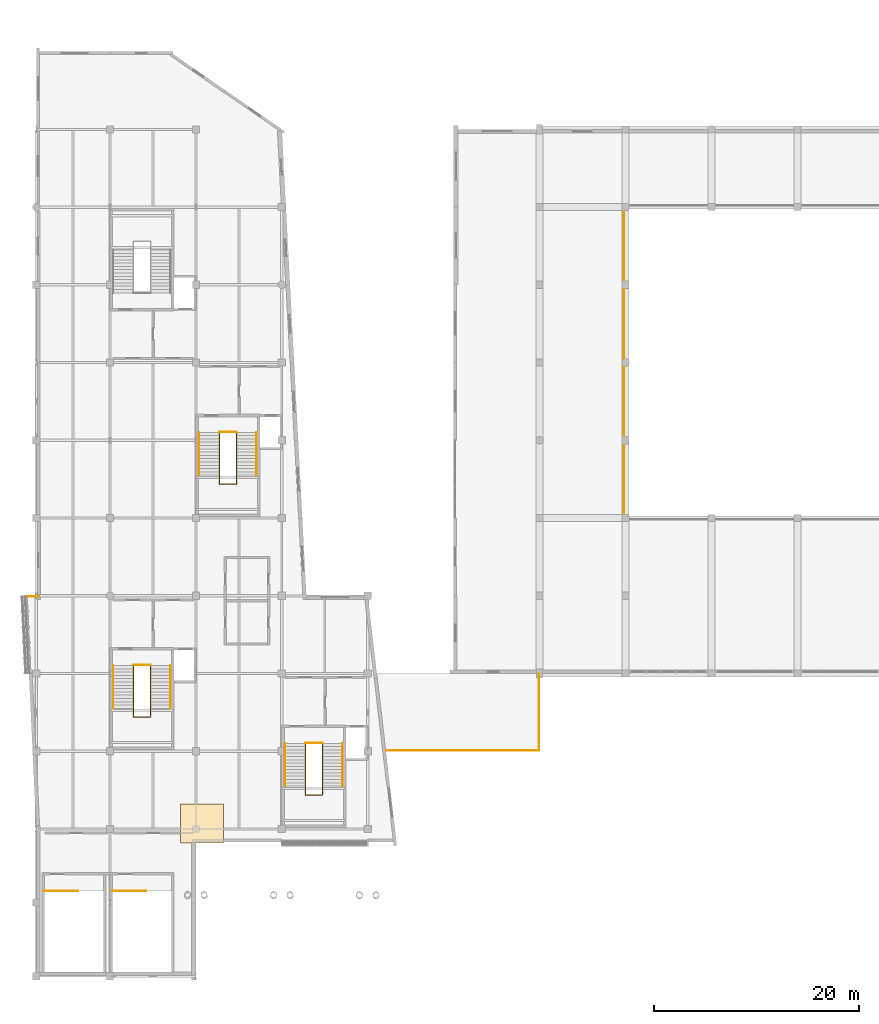
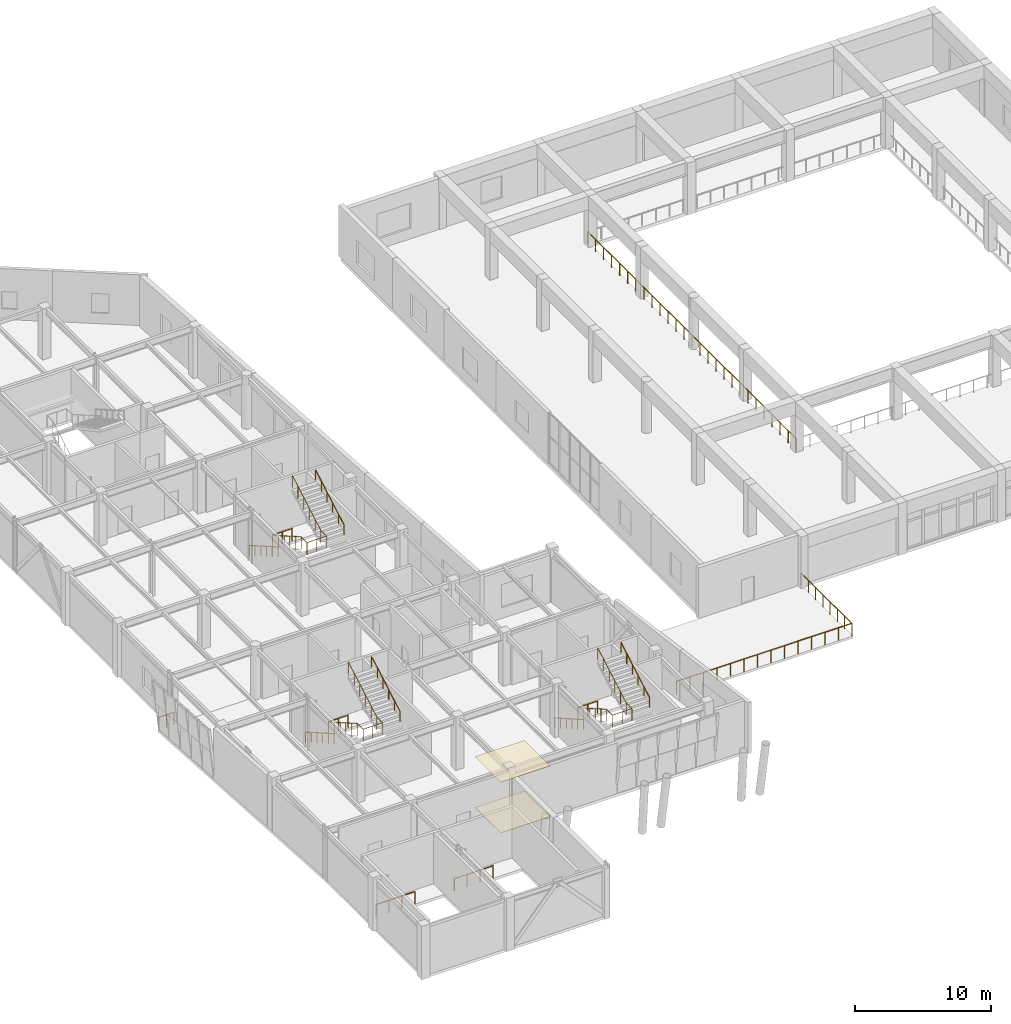
# One storey, part 70 of 72: 18 railings, 2 coverings.
"""IFC4 building model written with IfcOpenShell, lengths in metres."""

from ifc_helpers import new_model, si_unit, direction, frame, origin, origin_2d, place, context, subcontext, project, spatial, rectangle, circle, extrude, material, layer, layer_set, type_object, element, save


model = new_model("IFC4")

# Units and contexts
model_context = context("Model", 3, precision=1e-05, world=origin(), true_north=direction((0.0, 1.0)))
body_context = subcontext(model_context, "Body", "Model", "MODEL_VIEW")
ifc_project = project(units=[si_unit("LENGTHUNIT", "METRE"), si_unit("AREAUNIT", "SQUARE_METRE"), si_unit("VOLUMEUNIT", "CUBIC_METRE"), si_unit("PLANEANGLEUNIT", "RADIAN"), si_unit("MASSUNIT", "GRAM", prefix="KILO")], contexts=[model_context])

# Site, building, storey
site_placement = place(None, origin())
site = spatial("IfcSite", under=ifc_project, at=site_placement, CompositionType="ELEMENT")
building_placement = place(site_placement, origin())
building = spatial("IfcBuilding", under=site, at=building_placement, Name="Xicomal Pleat Aquarium", CompositionType="ELEMENT")
storey_placement = place(building_placement, frame((0.0, 0.0, 10.5)))
storey = spatial("IfcBuildingStorey", under=building, at=storey_placement, Name="L03", CompositionType="ELEMENT", Elevation=10.5)

# Coverings
ifc_material_1 = material(Name="Acoustic mineral-fibre suspended ceiling", Category="gypsum")
ifc_layer_1 = layer(ifc_material_1, 0.02490234375)
ifc_layer_set_1 = layer_set([ifc_layer_1], Name="Acoustic mineral-fibre suspended ceiling")
covering_type_1 = type_object("IfcCoveringType", Name="COV-CEIL-25", PredefinedType="CEILING", material=ifc_layer_set_1)
covering_1_placement = place(storey_placement, frame((19.199951171875, 15.75, 4.550537109375), z_axis=(0.0, 0.0, 1.0), x_axis=(1.0, 0.0, 0.0)))
element("IfcCovering", 1, at=covering_1_placement, inside=storey, type_object=covering_type_1, Name="L03 acoustic ceiling 1", PredefinedType="CEILING", context=body_context, shape_type="SweptSolid", body=[
    extrude(rectangle(XDim=4.199951171875, YDim=3.800048828125, at=origin_2d()), origin(), (0.0, 0.0, 1.0), 0.02490234375),
])
ifc_material_2 = material(Name="Seamless marine terrazzo and epoxy flooring", Category="concrete")
ifc_layer_2 = layer(ifc_material_2, 0.02001953125)
ifc_layer_set_2 = layer_set([ifc_layer_2], Name="Seamless marine terrazzo and epoxy flooring")
covering_type_2 = type_object("IfcCoveringType", Name="COV-FLR-20", PredefinedType="FLOORING", material=ifc_layer_set_2)
covering_2_placement = place(storey_placement, frame((19.199951171875, 15.75, -0.0009765625), z_axis=(0.0, 0.0, 1.0), x_axis=(1.0, 0.0, 0.0)))
element("IfcCovering", 2, at=covering_2_placement, inside=storey, type_object=covering_type_2, Name="L03 marine terrazzo flooring 1", PredefinedType="FLOORING", context=body_context, shape_type="SweptSolid", body=[
    extrude(rectangle(XDim=4.199951171875, YDim=3.800048828125, at=origin_2d()), origin(), (0.0, 0.0, 1.0), 0.02001953125),
])

# Railings
ifc_material_3 = material(Name="Brushed stainless steel 316L", Category="steel")
railing_type_1 = type_object("IfcRailingType", Name="RAL-BAL-1120", PredefinedType="BALUSTRADE", material=ifc_material_3)
railing_1_placement = place(storey_placement, frame((60.449951171875, 45.449951171875, 0.0)))
element("IfcRailing", 3, at=railing_1_placement, inside=storey, type_object=railing_type_1, Name="L03 void safety balustrade BAL-L03-OT-W", PredefinedType="BALUSTRADE", context=body_context, shape_type="SweptSolid", body=[
    extrude(circle(Radius=0.02392578125, at=origin_2d()), frame((0.0, 0.0, 1.09619140625), z_axis=(0.0, 1.0, 0.0), x_axis=(-1.0, 0.0, 0.0)), (0.0, 0.0, 1.0), 30.699951171875),
    extrude(circle(Radius=0.02099609375, at=origin_2d()), origin(), (0.0, 0.0, 1.0), 1.072021484375),
    extrude(circle(Radius=0.02099609375, at=origin_2d()), frame((0.0, 1.1806640625, 0.0)), (0.0, 0.0, 1.0), 1.072021484375),
    extrude(circle(Radius=0.02099609375, at=origin_2d()), frame((0.0, 2.361572265625, 0.0)), (0.0, 0.0, 1.0), 1.072021484375),
    extrude(circle(Radius=0.02099609375, at=origin_2d()), frame((0.0, 3.542236328125, 0.0)), (0.0, 0.0, 1.0), 1.072021484375),
    extrude(circle(Radius=0.02099609375, at=origin_2d()), frame((0.0, 4.72314453125, 0.0)), (0.0, 0.0, 1.0), 1.072021484375),
    extrude(circle(Radius=0.02099609375, at=origin_2d()), frame((0.0, 5.90380859375, 0.0)), (0.0, 0.0, 1.0), 1.072021484375),
    extrude(circle(Radius=0.02099609375, at=origin_2d()), frame((0.0, 7.084716796875, 0.0)), (0.0, 0.0, 1.0), 1.072021484375),
    extrude(circle(Radius=0.02099609375, at=origin_2d()), frame((0.0, 8.265380859375, 0.0)), (0.0, 0.0, 1.0), 1.072021484375),
    extrude(circle(Radius=0.02099609375, at=origin_2d()), frame((0.0, 9.446044921875, 0.0)), (0.0, 0.0, 1.0), 1.072021484375),
    extrude(circle(Radius=0.02099609375, at=origin_2d()), frame((0.0, 10.626953125, 0.0)), (0.0, 0.0, 1.0), 1.072021484375),
    extrude(circle(Radius=0.02099609375, at=origin_2d()), frame((0.0, 11.8076171875, 0.0)), (0.0, 0.0, 1.0), 1.072021484375),
    extrude(circle(Radius=0.02099609375, at=origin_2d()), frame((0.0, 12.988525390625, 0.0)), (0.0, 0.0, 1.0), 1.072021484375),
    extrude(circle(Radius=0.02099609375, at=origin_2d()), frame((0.0, 14.169189453125, 0.0)), (0.0, 0.0, 1.0), 1.072021484375),
    extrude(circle(Radius=0.02099609375, at=origin_2d()), frame((0.0, 15.35009765625, 0.0)), (0.0, 0.0, 1.0), 1.072021484375),
    extrude(circle(Radius=0.02099609375, at=origin_2d()), frame((0.0, 16.53076171875, 0.0)), (0.0, 0.0, 1.0), 1.072021484375),
    extrude(circle(Radius=0.02099609375, at=origin_2d()), frame((0.0, 17.71142578125, 0.0)), (0.0, 0.0, 1.0), 1.072021484375),
    extrude(circle(Radius=0.02099609375, at=origin_2d()), frame((0.0, 18.892333984375, 0.0)), (0.0, 0.0, 1.0), 1.072021484375),
    extrude(circle(Radius=0.02099609375, at=origin_2d()), frame((0.0, 20.072998046875, 0.0)), (0.0, 0.0, 1.0), 1.072021484375),
    extrude(circle(Radius=0.02099609375, at=origin_2d()), frame((0.0, 21.25390625, 0.0)), (0.0, 0.0, 1.0), 1.072021484375),
    extrude(circle(Radius=0.02099609375, at=origin_2d()), frame((0.0, 22.4345703125, 0.0)), (0.0, 0.0, 1.0), 1.072021484375),
    extrude(circle(Radius=0.02099609375, at=origin_2d()), frame((0.0, 23.615234375, 0.0)), (0.0, 0.0, 1.0), 1.072021484375),
    extrude(circle(Radius=0.02099609375, at=origin_2d()), frame((0.0, 24.796142578125, 0.0)), (0.0, 0.0, 1.0), 1.072021484375),
    extrude(circle(Radius=0.02099609375, at=origin_2d()), frame((0.0, 25.976806640625, 0.0)), (0.0, 0.0, 1.0), 1.072021484375),
    extrude(circle(Radius=0.02099609375, at=origin_2d()), frame((0.0, 27.15771484375, 0.0)), (0.0, 0.0, 1.0), 1.072021484375),
    extrude(circle(Radius=0.02099609375, at=origin_2d()), frame((0.0, 28.33837890625, 0.0)), (0.0, 0.0, 1.0), 1.072021484375),
    extrude(circle(Radius=0.02099609375, at=origin_2d()), frame((0.0, 29.519287109375, 0.0)), (0.0, 0.0, 1.0), 1.072021484375),
    extrude(circle(Radius=0.02099609375, at=origin_2d()), frame((0.0, 30.699951171875, 0.0)), (0.0, 0.0, 1.0), 1.072021484375),
])
ifc_material_4 = material(Name="Stainless steel 316L and laminated safety glass", Category="steel")
railing_type_2 = type_object("IfcRailingType", Name="RAL-GRD-1120", PredefinedType="GUARDRAIL", material=ifc_material_4)
railing_2_placement = place(storey_placement, frame((52.139892578125, 30.340087890625, 0.0)))
element("IfcRailing", 4, at=railing_2_placement, inside=storey, type_object=railing_type_2, Name="L03 terrace perimeter guard 7", PredefinedType="GUARDRAIL", context=body_context, shape_type="SweptSolid", body=[
    extrude(circle(Radius=0.02392578125, at=origin_2d()), frame((0.0, 0.0, 1.09619140625), z_axis=(0.0, -1.0, 0.0), x_axis=(1.0, 0.0, 0.0)), (0.0, 0.0, 1.0), 7.47998046875),
    extrude(circle(Radius=0.02099609375, at=origin_2d()), origin(), (0.0, 0.0, 1.0), 1.072021484375),
    extrude(circle(Radius=0.02099609375, at=origin_2d()), frame((0.0, -1.068603515625, 0.0)), (0.0, 0.0, 1.0), 1.072021484375),
    extrude(circle(Radius=0.02099609375, at=origin_2d()), frame((0.0, -2.13720703125, 0.0)), (0.0, 0.0, 1.0), 1.072021484375),
    extrude(circle(Radius=0.02099609375, at=origin_2d()), frame((0.0, -3.205810546875, 0.0)), (0.0, 0.0, 1.0), 1.072021484375),
    extrude(circle(Radius=0.02099609375, at=origin_2d()), frame((0.0, -4.274169921875, 0.0)), (0.0, 0.0, 1.0), 1.072021484375),
    extrude(circle(Radius=0.02099609375, at=origin_2d()), frame((0.0, -5.3427734375, 0.0)), (0.0, 0.0, 1.0), 1.072021484375),
    extrude(circle(Radius=0.02099609375, at=origin_2d()), frame((0.0, -6.411376953125, 0.0)), (0.0, 0.0, 1.0), 1.072021484375),
    extrude(circle(Radius=0.02099609375, at=origin_2d()), frame((0.0, -7.47998046875, 0.0)), (0.0, 0.0, 1.0), 1.072021484375),
])
ifc_material_5 = material(Name="Stainless steel 316L and laminated safety glass", Category="steel")
railing_type_3 = type_object("IfcRailingType", Name="RAL-GRD-1150", PredefinedType="GUARDRAIL", material=ifc_material_5)
railing_3_placement = place(storey_placement, frame((52.139892578125, 22.860107421875, 0.0)))
element("IfcRailing", 5, at=railing_3_placement, inside=storey, type_object=railing_type_3, Name="L03 terrace perimeter guard 6", PredefinedType="GUARDRAIL", context=body_context, shape_type="SweptSolid", body=[
    extrude(circle(Radius=0.02392578125, at=origin_2d()), frame((0.0, 0.0, 1.1259765625), z_axis=(-1.0, 0.0, 0.0), x_axis=(0.0, -1.0, 0.0)), (0.0, 0.0, 1.0), 14.9169921875),
    extrude(circle(Radius=0.02099609375, at=origin_2d()), origin(), (0.0, 0.0, 1.0), 1.101806640625),
    extrude(circle(Radius=0.02099609375, at=origin_2d()), frame((-1.1474609375, 0.0, 0.0)), (0.0, 0.0, 1.0), 1.101806640625),
    extrude(circle(Radius=0.02099609375, at=origin_2d()), frame((-2.294921875, 0.0, 0.0)), (0.0, 0.0, 1.0), 1.101806640625),
    extrude(circle(Radius=0.02099609375, at=origin_2d()), frame((-3.4423828125, 0.0, 0.0)), (0.0, 0.0, 1.0), 1.101806640625),
    extrude(circle(Radius=0.02099609375, at=origin_2d()), frame((-4.58984375, 0.0, 0.0)), (0.0, 0.0, 1.0), 1.101806640625),
    extrude(circle(Radius=0.02099609375, at=origin_2d()), frame((-5.7373046875, 0.0, 0.0)), (0.0, 0.0, 1.0), 1.101806640625),
    extrude(circle(Radius=0.02099609375, at=origin_2d()), frame((-6.884765625, 0.0, 0.0)), (0.0, 0.0, 1.0), 1.101806640625),
    extrude(circle(Radius=0.02099609375, at=origin_2d()), frame((-8.0322265625, 0.0, 0.0)), (0.0, 0.0, 1.0), 1.101806640625),
    extrude(circle(Radius=0.02099609375, at=origin_2d()), frame((-9.1796875, 0.0, 0.0)), (0.0, 0.0, 1.0), 1.101806640625),
    extrude(circle(Radius=0.02099609375, at=origin_2d()), frame((-10.3271484375, 0.0, 0.0)), (0.0, 0.0, 1.0), 1.101806640625),
    extrude(circle(Radius=0.02099609375, at=origin_2d()), frame((-11.474609375, 0.0, 0.0)), (0.0, 0.0, 1.0), 1.101806640625),
    extrude(circle(Radius=0.02099609375, at=origin_2d()), frame((-12.6220703125, 0.0, 0.0)), (0.0, 0.0, 1.0), 1.101806640625),
    extrude(circle(Radius=0.02099609375, at=origin_2d()), frame((-13.76953125, 0.0, 0.0)), (0.0, 0.0, 1.0), 1.101806640625),
    extrude(circle(Radius=0.02099609375, at=origin_2d()), frame((-14.9169921875, 0.0, 0.0)), (0.0, 0.0, 1.0), 1.101806640625),
])
railing_4_placement = place(storey_placement, frame((1.9599609375, 37.919921875, 0.0)))
element("IfcRailing", 6, at=railing_4_placement, inside=storey, type_object=railing_type_3, Name="L03 slab setback perimeter guard GR-EDG-L03-02", PredefinedType="GUARDRAIL", context=body_context, shape_type="SweptSolid", body=[
    extrude(circle(Radius=0.02392578125, at=origin_2d()), frame((0.0, 0.0, 1.1259765625), z_axis=(1.0, 0.0, 0.0), x_axis=(0.0, 1.0, 0.0)), (0.0, 0.0, 1.0), 1.2900390625),
    extrude(circle(Radius=0.02099609375, at=origin_2d()), origin(), (0.0, 0.0, 1.0), 1.101806640625),
    extrude(circle(Radius=0.02099609375, at=origin_2d()), frame((0.64501953125, 0.0, 0.0)), (0.0, 0.0, 1.0), 1.101806640625),
    extrude(circle(Radius=0.02099609375, at=origin_2d()), frame((1.2900390625, 0.0, 0.0)), (0.0, 0.0, 1.0), 1.101806640625),
])
ifc_material_6 = material(Name="Brushed stainless steel 316L", Category="steel")
railing_type_4 = type_object("IfcRailingType", Name="RAL-HR-900", PredefinedType="HANDRAIL", material=ifc_material_6)
railing_5_placement = place(storey_placement, frame((10.52001953125, 31.179931640625, 0.0)))
element("IfcRailing", 7, at=railing_5_placement, inside=storey, type_object=railing_type_4, Name="ST-01-L03 flight 1 handrail", PredefinedType="HANDRAIL", context=body_context, shape_type="SweptSolid", body=[
    extrude(circle(Radius=0.02392578125, at=origin_2d()), frame((0.0, 0.0, 0.8759765625), z_axis=(0.0, -0.867538579349, 0.497369895894), x_axis=(1.0, 0.0, 0.0)), (0.0, 0.0, 1.0), 4.8251953125),
    extrude(circle(Radius=0.02099609375, at=origin_2d()), origin(), (0.0, 0.0, 1.0), 0.851806640625),
    extrude(circle(Radius=0.02099609375, at=origin_2d()), frame((0.0, -0.837158203125, 0.47998046875)), (0.0, 0.0, 1.0), 0.851806640625),
    extrude(circle(Radius=0.02099609375, at=origin_2d()), frame((0.0, -1.67431640625, 0.9599609375)), (0.0, 0.0, 1.0), 0.851806640625),
    extrude(circle(Radius=0.02099609375, at=origin_2d()), frame((0.0, -2.51171875, 1.43994140625)), (0.0, 0.0, 1.0), 0.851806640625),
    extrude(circle(Radius=0.02099609375, at=origin_2d()), frame((0.0, -3.348876953125, 1.919921875)), (0.0, 0.0, 1.0), 0.851806640625),
    extrude(circle(Radius=0.02099609375, at=origin_2d()), frame((0.0, -4.18603515625, 2.39990234375)), (0.0, 0.0, 1.0), 0.851806640625),
])
railing_6_placement = place(storey_placement, frame((16.139892578125, 26.993896484375, 2.39990234375)))
element("IfcRailing", 8, at=railing_6_placement, inside=storey, type_object=railing_type_4, Name="ST-01-L03 flight 2 handrail", PredefinedType="HANDRAIL", context=body_context, shape_type="SweptSolid", body=[
    extrude(circle(Radius=0.02392578125, at=origin_2d()), frame((0.0, 0.0, 0.8759765625), z_axis=(0.0, 0.867516747025, 0.497407975038), x_axis=(-1.0, 0.0, 0.0)), (0.0, 0.0, 1.0), 4.8251953125),
    extrude(circle(Radius=0.02099609375, at=origin_2d()), origin(), (0.0, 0.0, 1.0), 0.851806640625),
    extrude(circle(Radius=0.02099609375, at=origin_2d()), frame((0.0, 0.837158203125, 0.47998046875)), (0.0, 0.0, 1.0), 0.851806640625),
    extrude(circle(Radius=0.02099609375, at=origin_2d()), frame((0.0, 1.67431640625, 0.9599609375)), (0.0, 0.0, 1.0), 0.851806640625),
    extrude(circle(Radius=0.02099609375, at=origin_2d()), frame((0.0, 2.51171875, 1.440185546875)), (0.0, 0.0, 1.0), 0.851806640625),
    extrude(circle(Radius=0.02099609375, at=origin_2d()), frame((0.0, 3.348876953125, 1.920166015625)), (0.0, 0.0, 1.0), 0.851806640625),
    extrude(circle(Radius=0.02099609375, at=origin_2d()), frame((0.0, 4.18603515625, 2.400146484375)), (0.0, 0.0, 1.0), 0.851806640625),
])
railing_7_placement = place(storey_placement, frame((27.320068359375, 23.580078125, 0.0)))
element("IfcRailing", 9, at=railing_7_placement, inside=storey, type_object=railing_type_4, Name="ST-02-L03 flight 1 handrail", PredefinedType="HANDRAIL", context=body_context, shape_type="SweptSolid", body=[
    extrude(circle(Radius=0.02392578125, at=origin_2d()), frame((0.0, 0.0, 0.8759765625), z_axis=(0.0, -0.867538579349, 0.497369895894), x_axis=(1.0, 0.0, 0.0)), (0.0, 0.0, 1.0), 4.8251953125),
    extrude(circle(Radius=0.02099609375, at=origin_2d()), origin(), (0.0, 0.0, 1.0), 0.851806640625),
    extrude(circle(Radius=0.02099609375, at=origin_2d()), frame((0.0, -0.837158203125, 0.47998046875)), (0.0, 0.0, 1.0), 0.851806640625),
    extrude(circle(Radius=0.02099609375, at=origin_2d()), frame((0.0, -1.67431640625, 0.9599609375)), (0.0, 0.0, 1.0), 0.851806640625),
    extrude(circle(Radius=0.02099609375, at=origin_2d()), frame((0.0, -2.51171875, 1.43994140625)), (0.0, 0.0, 1.0), 0.851806640625),
    extrude(circle(Radius=0.02099609375, at=origin_2d()), frame((0.0, -3.348876953125, 1.919921875)), (0.0, 0.0, 1.0), 0.851806640625),
    extrude(circle(Radius=0.02099609375, at=origin_2d()), frame((0.0, -4.18603515625, 2.39990234375)), (0.0, 0.0, 1.0), 0.851806640625),
])
railing_8_placement = place(storey_placement, frame((32.93994140625, 19.39404296875, 2.39990234375)))
element("IfcRailing", 10, at=railing_8_placement, inside=storey, type_object=railing_type_4, Name="ST-02-L03 flight 2 handrail", PredefinedType="HANDRAIL", context=body_context, shape_type="SweptSolid", body=[
    extrude(circle(Radius=0.02392578125, at=origin_2d()), frame((0.0, 0.0, 0.8759765625), z_axis=(0.0, 0.867516747025, 0.497407975038), x_axis=(-1.0, 0.0, 0.0)), (0.0, 0.0, 1.0), 4.8251953125),
    extrude(circle(Radius=0.02099609375, at=origin_2d()), origin(), (0.0, 0.0, 1.0), 0.851806640625),
    extrude(circle(Radius=0.02099609375, at=origin_2d()), frame((0.0, 0.837158203125, 0.47998046875)), (0.0, 0.0, 1.0), 0.851806640625),
    extrude(circle(Radius=0.02099609375, at=origin_2d()), frame((0.0, 1.67431640625, 0.9599609375)), (0.0, 0.0, 1.0), 0.851806640625),
    extrude(circle(Radius=0.02099609375, at=origin_2d()), frame((0.0, 2.51171875, 1.440185546875)), (0.0, 0.0, 1.0), 0.851806640625),
    extrude(circle(Radius=0.02099609375, at=origin_2d()), frame((0.0, 3.348876953125, 1.920166015625)), (0.0, 0.0, 1.0), 0.851806640625),
    extrude(circle(Radius=0.02099609375, at=origin_2d()), frame((0.0, 4.18603515625, 2.400146484375)), (0.0, 0.0, 1.0), 0.851806640625),
])
railing_9_placement = place(storey_placement, frame((18.919921875, 53.97998046875, 0.0)))
element("IfcRailing", 11, at=railing_9_placement, inside=storey, type_object=railing_type_4, Name="ST-04-L03 flight 1 handrail", PredefinedType="HANDRAIL", context=body_context, shape_type="SweptSolid", body=[
    extrude(circle(Radius=0.02392578125, at=origin_2d()), frame((0.0, 0.0, 0.8759765625), z_axis=(0.0, -0.867538579349, 0.497369895894), x_axis=(1.0, 0.0, 0.0)), (0.0, 0.0, 1.0), 4.8251953125),
    extrude(circle(Radius=0.02099609375, at=origin_2d()), origin(), (0.0, 0.0, 1.0), 0.851806640625),
    extrude(circle(Radius=0.02099609375, at=origin_2d()), frame((0.0, -0.837158203125, 0.47998046875)), (0.0, 0.0, 1.0), 0.851806640625),
    extrude(circle(Radius=0.02099609375, at=origin_2d()), frame((0.0, -1.67431640625, 0.9599609375)), (0.0, 0.0, 1.0), 0.851806640625),
    extrude(circle(Radius=0.02099609375, at=origin_2d()), frame((0.0, -2.51171875, 1.43994140625)), (0.0, 0.0, 1.0), 0.851806640625),
    extrude(circle(Radius=0.02099609375, at=origin_2d()), frame((0.0, -3.348876953125, 1.919921875)), (0.0, 0.0, 1.0), 0.851806640625),
    extrude(circle(Radius=0.02099609375, at=origin_2d()), frame((0.0, -4.18603515625, 2.39990234375)), (0.0, 0.0, 1.0), 0.851806640625),
])
railing_10_placement = place(storey_placement, frame((24.5400390625, 49.7939453125, 2.39990234375)))
element("IfcRailing", 12, at=railing_10_placement, inside=storey, type_object=railing_type_4, Name="ST-04-L03 flight 2 handrail", PredefinedType="HANDRAIL", context=body_context, shape_type="SweptSolid", body=[
    extrude(circle(Radius=0.02392578125, at=origin_2d()), frame((0.0, 0.0, 0.8759765625), z_axis=(0.0, 0.867516747025, 0.497407975038), x_axis=(-1.0, 0.0, 0.0)), (0.0, 0.0, 1.0), 4.8251953125),
    extrude(circle(Radius=0.02099609375, at=origin_2d()), origin(), (0.0, 0.0, 1.0), 0.851806640625),
    extrude(circle(Radius=0.02099609375, at=origin_2d()), frame((0.0, 0.837158203125, 0.47998046875)), (0.0, 0.0, 1.0), 0.851806640625),
    extrude(circle(Radius=0.02099609375, at=origin_2d()), frame((0.0, 1.67431640625, 0.9599609375)), (0.0, 0.0, 1.0), 0.851806640625),
    extrude(circle(Radius=0.02099609375, at=origin_2d()), frame((0.0, 2.51171875, 1.440185546875)), (0.0, 0.0, 1.0), 0.851806640625),
    extrude(circle(Radius=0.02099609375, at=origin_2d()), frame((0.0, 3.348876953125, 1.920166015625)), (0.0, 0.0, 1.0), 0.851806640625),
    extrude(circle(Radius=0.02099609375, at=origin_2d()), frame((0.0, 4.18603515625, 2.400146484375)), (0.0, 0.0, 1.0), 0.851806640625),
])
ifc_material_7 = material(Name="Brushed stainless steel 316L", Category="steel")
railing_type_5 = type_object("IfcRailingType", Name="RAL-STG-1120", PredefinedType="GUARDRAIL", material=ifc_material_7)
railing_11_placement = place(storey_placement, frame((12.5, 31.179931640625, 0.0)))
element("IfcRailing", 13, at=railing_11_placement, inside=storey, type_object=railing_type_5, Name="ST-01-L03 inner well guard", PredefinedType="GUARDRAIL", context=body_context, shape_type="SweptSolid", body=[
    extrude(circle(Radius=0.02392578125, at=origin_2d()), frame((0.0, 0.0, 1.09619140625), z_axis=(0.0, -0.867538579349, 0.497369895894), x_axis=(1.0, 0.0, 0.0)), (0.0, 0.0, 1.0), 4.8251953125),
    extrude(circle(Radius=0.02392578125, at=origin_2d()), frame((0.0, -4.18603515625, 3.49609375), z_axis=(0.0, -1.0, 0.0), x_axis=(1.0, 0.0, 0.0)), (0.0, 0.0, 1.0), 0.849853515625),
    extrude(circle(Radius=0.02392578125, at=origin_2d()), frame((0.0, -5.035888671875, 3.49609375), z_axis=(1.0, 0.0, 0.0), x_axis=(0.0, 1.0, 0.0)), (0.0, 0.0, 1.0), 1.659912109375),
    extrude(circle(Radius=0.02392578125, at=origin_2d()), frame((1.659912109375, -5.035888671875, 3.49609375), z_axis=(0.0, 1.0, 0.0), x_axis=(-1.0, 0.0, 0.0)), (0.0, 0.0, 1.0), 0.849853515625),
    extrude(circle(Radius=0.02392578125, at=origin_2d()), frame((1.659912109375, -4.18603515625, 3.49609375), z_axis=(0.0, 0.867516747025, 0.497407975038), x_axis=(-1.0, 0.0, 0.0)), (0.0, 0.0, 1.0), 4.8251953125),
    extrude(circle(Radius=0.02099609375, at=origin_2d()), origin(), (0.0, 0.0, 1.0), 1.072021484375),
    extrude(circle(Radius=0.02099609375, at=origin_2d()), frame((0.0, -0.837158203125, 0.47998046875)), (0.0, 0.0, 1.0), 1.072021484375),
    extrude(circle(Radius=0.02099609375, at=origin_2d()), frame((0.0, -1.67431640625, 0.9599609375)), (0.0, 0.0, 1.0), 1.072021484375),
    extrude(circle(Radius=0.02099609375, at=origin_2d()), frame((0.0, -2.51171875, 1.43994140625)), (0.0, 0.0, 1.0), 1.072021484375),
    extrude(circle(Radius=0.02099609375, at=origin_2d()), frame((0.0, -3.348876953125, 1.919921875)), (0.0, 0.0, 1.0), 1.072021484375),
    extrude(circle(Radius=0.02099609375, at=origin_2d()), frame((0.0, -4.18603515625, 2.39990234375)), (0.0, 0.0, 1.0), 1.072021484375),
    extrude(circle(Radius=0.02099609375, at=origin_2d()), frame((0.0, -5.035888671875, 2.39990234375)), (0.0, 0.0, 1.0), 1.072021484375),
    extrude(circle(Radius=0.02099609375, at=origin_2d()), frame((0.830078125, -5.035888671875, 2.39990234375)), (0.0, 0.0, 1.0), 1.072021484375),
    extrude(circle(Radius=0.02099609375, at=origin_2d()), frame((1.659912109375, -5.035888671875, 2.39990234375)), (0.0, 0.0, 1.0), 1.072021484375),
    extrude(circle(Radius=0.02099609375, at=origin_2d()), frame((1.659912109375, -4.18603515625, 2.39990234375)), (0.0, 0.0, 1.0), 1.072021484375),
    extrude(circle(Radius=0.02099609375, at=origin_2d()), frame((1.659912109375, -3.348876953125, 2.8798828125)), (0.0, 0.0, 1.0), 1.072021484375),
    extrude(circle(Radius=0.02099609375, at=origin_2d()), frame((1.659912109375, -2.51171875, 3.35986328125)), (0.0, 0.0, 1.0), 1.072021484375),
    extrude(circle(Radius=0.02099609375, at=origin_2d()), frame((1.659912109375, -1.67431640625, 3.840087890625)), (0.0, 0.0, 1.0), 1.072021484375),
    extrude(circle(Radius=0.02099609375, at=origin_2d()), frame((1.659912109375, -0.837158203125, 4.320068359375)), (0.0, 0.0, 1.0), 1.072021484375),
    extrude(circle(Radius=0.02099609375, at=origin_2d()), frame((1.659912109375, 0.0, 4.800048828125)), (0.0, 0.0, 1.0), 1.072021484375),
])
railing_12_placement = place(storey_placement, frame((12.5, 31.219970703125, 0.0)))
element("IfcRailing", 14, at=railing_12_placement, inside=storey, type_object=railing_type_5, Name="ST-01-L03 floor landing slot guard", PredefinedType="GUARDRAIL", context=body_context, shape_type="SweptSolid", body=[
    extrude(circle(Radius=0.02392578125, at=origin_2d()), frame((0.0, 0.0, 1.09619140625), z_axis=(1.0, 0.0, 0.0), x_axis=(0.0, 1.0, 0.0)), (0.0, 0.0, 1.0), 1.659912109375),
    extrude(circle(Radius=0.02099609375, at=origin_2d()), origin(), (0.0, 0.0, 1.0), 1.072021484375),
    extrude(circle(Radius=0.02099609375, at=origin_2d()), frame((0.830078125, 0.0, 0.0)), (0.0, 0.0, 1.0), 1.072021484375),
    extrude(circle(Radius=0.02099609375, at=origin_2d()), frame((1.659912109375, 0.0, 0.0)), (0.0, 0.0, 1.0), 1.072021484375),
])
railing_13_placement = place(storey_placement, frame((29.300048828125, 23.580078125, 0.0)))
element("IfcRailing", 15, at=railing_13_placement, inside=storey, type_object=railing_type_5, Name="ST-02-L03 inner well guard", PredefinedType="GUARDRAIL", context=body_context, shape_type="SweptSolid", body=[
    extrude(circle(Radius=0.02392578125, at=origin_2d()), frame((0.0, 0.0, 1.09619140625), z_axis=(0.0, -0.867538579349, 0.497369895894), x_axis=(1.0, 0.0, 0.0)), (0.0, 0.0, 1.0), 4.8251953125),
    extrude(circle(Radius=0.02392578125, at=origin_2d()), frame((0.0, -4.18603515625, 3.49609375), z_axis=(0.0, -1.0, 0.0), x_axis=(1.0, 0.0, 0.0)), (0.0, 0.0, 1.0), 0.85009765625),
    extrude(circle(Radius=0.02392578125, at=origin_2d()), frame((0.0, -5.0361328125, 3.49609375), z_axis=(1.0, 0.0, 0.0), x_axis=(0.0, 1.0, 0.0)), (0.0, 0.0, 1.0), 1.659912109375),
    extrude(circle(Radius=0.02392578125, at=origin_2d()), frame((1.659912109375, -5.0361328125, 3.49609375), z_axis=(0.0, 1.0, 0.0), x_axis=(-1.0, 0.0, 0.0)), (0.0, 0.0, 1.0), 0.85009765625),
    extrude(circle(Radius=0.02392578125, at=origin_2d()), frame((1.659912109375, -4.18603515625, 3.49609375), z_axis=(0.0, 0.867516747025, 0.497407975038), x_axis=(-1.0, 0.0, 0.0)), (0.0, 0.0, 1.0), 4.8251953125),
    extrude(circle(Radius=0.02099609375, at=origin_2d()), origin(), (0.0, 0.0, 1.0), 1.072021484375),
    extrude(circle(Radius=0.02099609375, at=origin_2d()), frame((0.0, -0.837158203125, 0.47998046875)), (0.0, 0.0, 1.0), 1.072021484375),
    extrude(circle(Radius=0.02099609375, at=origin_2d()), frame((0.0, -1.67431640625, 0.9599609375)), (0.0, 0.0, 1.0), 1.072021484375),
    extrude(circle(Radius=0.02099609375, at=origin_2d()), frame((0.0, -2.51171875, 1.43994140625)), (0.0, 0.0, 1.0), 1.072021484375),
    extrude(circle(Radius=0.02099609375, at=origin_2d()), frame((0.0, -3.348876953125, 1.919921875)), (0.0, 0.0, 1.0), 1.072021484375),
    extrude(circle(Radius=0.02099609375, at=origin_2d()), frame((0.0, -4.18603515625, 2.39990234375)), (0.0, 0.0, 1.0), 1.072021484375),
    extrude(circle(Radius=0.02099609375, at=origin_2d()), frame((0.0, -5.0361328125, 2.39990234375)), (0.0, 0.0, 1.0), 1.072021484375),
    extrude(circle(Radius=0.02099609375, at=origin_2d()), frame((0.830078125, -5.0361328125, 2.39990234375)), (0.0, 0.0, 1.0), 1.072021484375),
    extrude(circle(Radius=0.02099609375, at=origin_2d()), frame((1.659912109375, -5.0361328125, 2.39990234375)), (0.0, 0.0, 1.0), 1.072021484375),
    extrude(circle(Radius=0.02099609375, at=origin_2d()), frame((1.659912109375, -4.18603515625, 2.39990234375)), (0.0, 0.0, 1.0), 1.072021484375),
    extrude(circle(Radius=0.02099609375, at=origin_2d()), frame((1.659912109375, -3.348876953125, 2.8798828125)), (0.0, 0.0, 1.0), 1.072021484375),
    extrude(circle(Radius=0.02099609375, at=origin_2d()), frame((1.659912109375, -2.51171875, 3.35986328125)), (0.0, 0.0, 1.0), 1.072021484375),
    extrude(circle(Radius=0.02099609375, at=origin_2d()), frame((1.659912109375, -1.67431640625, 3.840087890625)), (0.0, 0.0, 1.0), 1.072021484375),
    extrude(circle(Radius=0.02099609375, at=origin_2d()), frame((1.659912109375, -0.837158203125, 4.320068359375)), (0.0, 0.0, 1.0), 1.072021484375),
    extrude(circle(Radius=0.02099609375, at=origin_2d()), frame((1.659912109375, 0.0, 4.800048828125)), (0.0, 0.0, 1.0), 1.072021484375),
])
railing_14_placement = place(storey_placement, frame((29.300048828125, 23.6201171875, 0.0)))
element("IfcRailing", 16, at=railing_14_placement, inside=storey, type_object=railing_type_5, Name="ST-02-L03 floor landing slot guard", PredefinedType="GUARDRAIL", context=body_context, shape_type="SweptSolid", body=[
    extrude(circle(Radius=0.02392578125, at=origin_2d()), frame((0.0, 0.0, 1.09619140625), z_axis=(1.0, 0.0, 0.0), x_axis=(0.0, 1.0, 0.0)), (0.0, 0.0, 1.0), 1.659912109375),
    extrude(circle(Radius=0.02099609375, at=origin_2d()), origin(), (0.0, 0.0, 1.0), 1.072021484375),
    extrude(circle(Radius=0.02099609375, at=origin_2d()), frame((0.830078125, 0.0, 0.0)), (0.0, 0.0, 1.0), 1.072021484375),
    extrude(circle(Radius=0.02099609375, at=origin_2d()), frame((1.659912109375, 0.0, 0.0)), (0.0, 0.0, 1.0), 1.072021484375),
])
railing_15_placement = place(storey_placement, frame((20.89990234375, 53.97998046875, 0.0)))
element("IfcRailing", 17, at=railing_15_placement, inside=storey, type_object=railing_type_5, Name="ST-04-L03 inner well guard", PredefinedType="GUARDRAIL", context=body_context, shape_type="SweptSolid", body=[
    extrude(circle(Radius=0.02392578125, at=origin_2d()), frame((0.0, 0.0, 1.09619140625), z_axis=(0.0, -0.867538579349, 0.497369895894), x_axis=(1.0, 0.0, 0.0)), (0.0, 0.0, 1.0), 4.8251953125),
    extrude(circle(Radius=0.02392578125, at=origin_2d()), frame((0.0, -4.18603515625, 3.49609375), z_axis=(0.0, -1.0, 0.0), x_axis=(1.0, 0.0, 0.0)), (0.0, 0.0, 1.0), 0.849853515625),
    extrude(circle(Radius=0.02392578125, at=origin_2d()), frame((0.0, -5.035888671875, 3.49609375), z_axis=(1.0, 0.0, 0.0), x_axis=(0.0, 1.0, 0.0)), (0.0, 0.0, 1.0), 1.66015625),
    extrude(circle(Radius=0.02392578125, at=origin_2d()), frame((1.66015625, -5.035888671875, 3.49609375), z_axis=(0.0, 1.0, 0.0), x_axis=(-1.0, 0.0, 0.0)), (0.0, 0.0, 1.0), 0.849853515625),
    extrude(circle(Radius=0.02392578125, at=origin_2d()), frame((1.66015625, -4.18603515625, 3.49609375), z_axis=(0.0, 0.867516747025, 0.497407975038), x_axis=(-1.0, 0.0, 0.0)), (0.0, 0.0, 1.0), 4.8251953125),
    extrude(circle(Radius=0.02099609375, at=origin_2d()), origin(), (0.0, 0.0, 1.0), 1.072021484375),
    extrude(circle(Radius=0.02099609375, at=origin_2d()), frame((0.0, -0.837158203125, 0.47998046875)), (0.0, 0.0, 1.0), 1.072021484375),
    extrude(circle(Radius=0.02099609375, at=origin_2d()), frame((0.0, -1.67431640625, 0.9599609375)), (0.0, 0.0, 1.0), 1.072021484375),
    extrude(circle(Radius=0.02099609375, at=origin_2d()), frame((0.0, -2.51171875, 1.43994140625)), (0.0, 0.0, 1.0), 1.072021484375),
    extrude(circle(Radius=0.02099609375, at=origin_2d()), frame((0.0, -3.348876953125, 1.919921875)), (0.0, 0.0, 1.0), 1.072021484375),
    extrude(circle(Radius=0.02099609375, at=origin_2d()), frame((0.0, -4.18603515625, 2.39990234375)), (0.0, 0.0, 1.0), 1.072021484375),
    extrude(circle(Radius=0.02099609375, at=origin_2d()), frame((0.0, -5.035888671875, 2.39990234375)), (0.0, 0.0, 1.0), 1.072021484375),
    extrude(circle(Radius=0.02099609375, at=origin_2d()), frame((0.830078125, -5.035888671875, 2.39990234375)), (0.0, 0.0, 1.0), 1.072021484375),
    extrude(circle(Radius=0.02099609375, at=origin_2d()), frame((1.66015625, -5.035888671875, 2.39990234375)), (0.0, 0.0, 1.0), 1.072021484375),
    extrude(circle(Radius=0.02099609375, at=origin_2d()), frame((1.66015625, -4.18603515625, 2.39990234375)), (0.0, 0.0, 1.0), 1.072021484375),
    extrude(circle(Radius=0.02099609375, at=origin_2d()), frame((1.66015625, -3.348876953125, 2.8798828125)), (0.0, 0.0, 1.0), 1.072021484375),
    extrude(circle(Radius=0.02099609375, at=origin_2d()), frame((1.66015625, -2.51171875, 3.35986328125)), (0.0, 0.0, 1.0), 1.072021484375),
    extrude(circle(Radius=0.02099609375, at=origin_2d()), frame((1.66015625, -1.67431640625, 3.840087890625)), (0.0, 0.0, 1.0), 1.072021484375),
    extrude(circle(Radius=0.02099609375, at=origin_2d()), frame((1.66015625, -0.837158203125, 4.320068359375)), (0.0, 0.0, 1.0), 1.072021484375),
    extrude(circle(Radius=0.02099609375, at=origin_2d()), frame((1.66015625, 0.0, 4.800048828125)), (0.0, 0.0, 1.0), 1.072021484375),
])
railing_16_placement = place(storey_placement, frame((20.89990234375, 54.02001953125, 0.0)))
element("IfcRailing", 18, at=railing_16_placement, inside=storey, type_object=railing_type_5, Name="ST-04-L03 floor landing slot guard", PredefinedType="GUARDRAIL", context=body_context, shape_type="SweptSolid", body=[
    extrude(circle(Radius=0.02392578125, at=origin_2d()), frame((0.0, 0.0, 1.09619140625), z_axis=(1.0, 0.0, 0.0), x_axis=(0.0, 1.0, 0.0)), (0.0, 0.0, 1.0), 1.66015625),
    extrude(circle(Radius=0.02099609375, at=origin_2d()), origin(), (0.0, 0.0, 1.0), 1.072021484375),
    extrude(circle(Radius=0.02099609375, at=origin_2d()), frame((0.830078125, 0.0, 0.0)), (0.0, 0.0, 1.0), 1.072021484375),
    extrude(circle(Radius=0.02099609375, at=origin_2d()), frame((1.66015625, 0.0, 0.0)), (0.0, 0.0, 1.0), 1.072021484375),
])
for number, where, name in (
    (19, (10.43994140625, 9.159912109375, 0.0), "ST-09 top landing well guard"),
    (20, (3.800048828125, 9.159912109375, 0.0), "ST-10 top landing well guard"),
):
    element("IfcRailing", number, at=place(storey_placement, frame(where)), inside=storey, type_object=railing_type_5, Name=name, PredefinedType="GUARDRAIL", context=body_context, shape_type="SweptSolid", body=[
        extrude(circle(Radius=0.02392578125, at=origin_2d()), frame((0.0, 0.0, 1.09619140625), z_axis=(1.0, 0.0, 0.0), x_axis=(0.0, 1.0, 0.0)), (0.0, 0.0, 1.0), 3.300048828125),
        extrude(circle(Radius=0.02099609375, at=origin_2d()), origin(), (0.0, 0.0, 1.0), 1.072021484375),
        extrude(circle(Radius=0.02099609375, at=origin_2d()), frame((1.10009765625, 0.0, 0.0)), (0.0, 0.0, 1.0), 1.072021484375),
        extrude(circle(Radius=0.02099609375, at=origin_2d()), frame((2.199951171875, 0.0, 0.0)), (0.0, 0.0, 1.0), 1.072021484375),
        extrude(circle(Radius=0.02099609375, at=origin_2d()), frame((3.300048828125, 0.0, 0.0)), (0.0, 0.0, 1.0), 1.072021484375),
    ])

save(model, "model.ifc")
